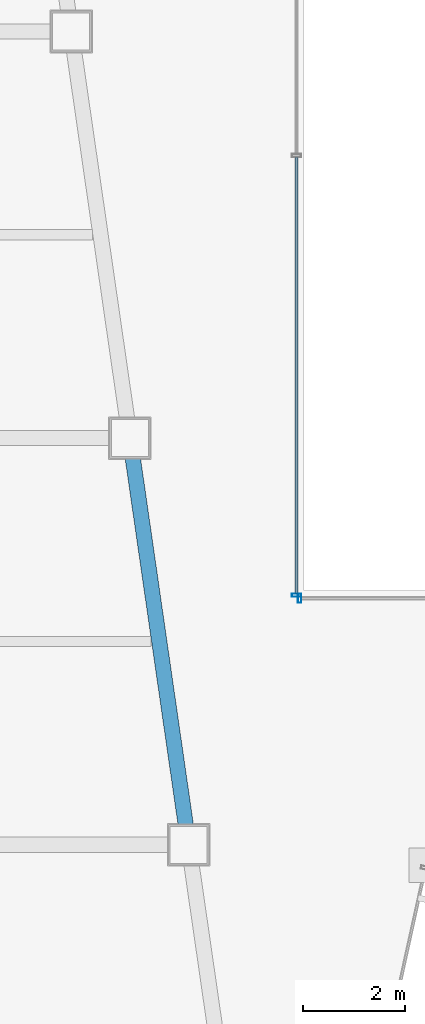
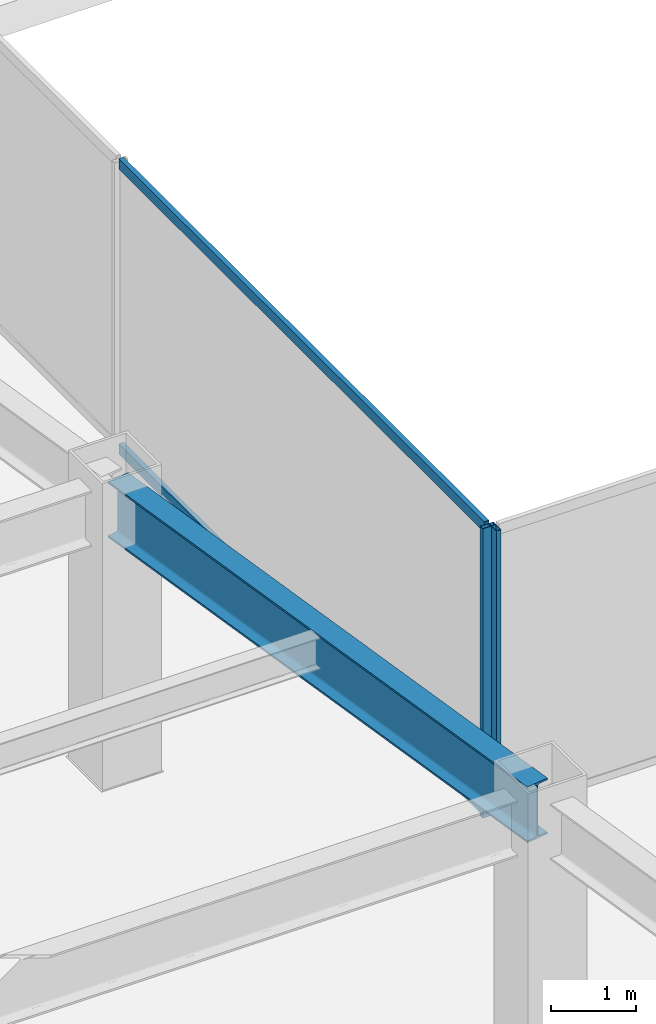
# One storey, part 12 of 49: 4 members, 1 beam, 2 elements without a shape of their own.
"""IFC4 building model written with IfcOpenShell, lengths in metres."""

from ifc_helpers import new_model, si_unit, direction, frame, origin, origin_2d, place, context, subcontext, project, spatial, hollow_rectangle, i_section, extrude, material, material_profile, profile_set, type_object, element, aggregate, save


model = new_model("IFC4")

# Units and contexts
model_context = context("Model", 3, precision=1e-05, world=origin(), true_north=direction((0.0, 1.0)))
body_context = subcontext(model_context, "Body", "Model", "MODEL_VIEW")
ifc_project = project(units=[si_unit("LENGTHUNIT", "METRE"), si_unit("AREAUNIT", "SQUARE_METRE"), si_unit("VOLUMEUNIT", "CUBIC_METRE"), si_unit("PLANEANGLEUNIT", "RADIAN"), si_unit("MASSUNIT", "GRAM", prefix="KILO")], contexts=[model_context])

# Site, building, storey
site_placement = place(None, origin())
site = spatial("IfcSite", under=ifc_project, at=site_placement, CompositionType="ELEMENT")
building_placement = place(site_placement, origin())
building = spatial("IfcBuilding", under=site, at=building_placement, Name="Saevonmaru Cultural Tower", CompositionType="ELEMENT")
storey_placement = place(building_placement, frame((0.0, 0.0, 38.39990234375)))
storey = spatial("IfcBuildingStorey", under=building, at=storey_placement, Name="L07", CompositionType="ELEMENT", Elevation=38.39990234375)

# Beam
ifc_material_1 = material(Name="Steel SM420", Category="steel")
ifc_material_profile_1 = material_profile(ifc_material_1, i_section(OverallWidth=0.300048828125, OverallDepth=0.800048828125, WebThickness=0.013916015625, FlangeThickness=0.02587890625, FilletRadius=0.028076171875, at=origin_2d()), Name="H-800x300x14x26")
ifc_profile_set_1 = profile_set([ifc_material_profile_1], Name="Steel SM420")
beam_type = type_object("IfcBeamType", Name="BM-G-H800", PredefinedType="BEAM", material=ifc_profile_set_1)
beam_placement = place(storey_placement, frame((21.91943359375, 16.059326171875, 3.75), z_axis=(-0.143022161059, 0.989719486241, 0.0), x_axis=(-0.989719486241, -0.143022161059, 0.0)))
element("IfcBeam", 1, at=beam_placement, inside=storey, type_object=beam_type, Name="L07 West Atrium Girder 3", PredefinedType="BEAM", context=body_context, shape_type="SweptSolid", body=[
    extrude(i_section(OverallWidth=0.300048828125, OverallDepth=0.800048828125, WebThickness=0.013916015625, FlangeThickness=0.02587890625, FilletRadius=0.028076171875, at=origin_2d()), origin(), (0.0, 0.0, 1.0), 7.963134765625),
])

# Curtain wall, member
ifc_material_2 = material(Name="Satin Bronze Anodised Aluminium", Category="aluminium")
curtain_wall_type = type_object("IfcCurtainWallType", Name="CW-ATR-GLZ", PredefinedType="NOTDEFINED", material=ifc_material_2)
curtain_wall_1_placement = place(storey_placement, origin())
curtain_wall_1 = element("IfcCurtainWall", 2, at=curtain_wall_1_placement, inside=storey, type_object=curtain_wall_type, Name="L07 Vertical Atrium Glazed Smoke Screen 1", PredefinedType="NOTDEFINED")
ifc_material_profile_2 = material_profile(ifc_material_2, hollow_rectangle(XDim=0.06494140625, YDim=0.179931640625, WallThickness=0.00390625, at=origin_2d()), Name="ALU-MULL-180x65x4")
ifc_profile_set_2 = profile_set([ifc_material_profile_2], Name="Satin Bronze Anodised Aluminium")
member_type_1 = type_object("IfcMemberType", Name="ML-CW-INT-180x65", PredefinedType="MULLION", material=ifc_profile_set_2)
member_1_placement = place(storey_placement, frame((24.110107421875, 20.85009765625, 0.0), z_axis=(0.0, 0.0, 1.0), x_axis=(1.0, 0.0, 0.0)))
member_1 = element("IfcMember", 3, at=member_1_placement, type_object=member_type_1, Name="CW-ATR-L07-1 mullion 1", PredefinedType="MULLION", context=body_context, shape_type="SweptSolid", body=[
    extrude(hollow_rectangle(XDim=0.06494140625, YDim=0.179931640625, WallThickness=0.00390625, at=origin_2d()), origin(), (0.0, 0.0, 1.0), 4.150146484375),
])
aggregate(curtain_wall_1, [member_1])

# Curtain wall, members
curtain_wall_2_placement = place(storey_placement, origin())
curtain_wall_2 = element("IfcCurtainWall", 4, at=curtain_wall_2_placement, inside=storey, type_object=curtain_wall_type, Name="L07 Vertical Atrium Glazed Smoke Screen 4", PredefinedType="NOTDEFINED")
member_2_placement = place(storey_placement, frame((24.050048828125, 20.909912109375, 0.0), z_axis=(0.0, 0.0, 1.0), x_axis=(0.0, -1.0, 0.0)))
member_2 = element("IfcMember", 5, at=member_2_placement, type_object=member_type_1, Name="CW-ATR-L07-4 mullion 3", PredefinedType="MULLION", context=body_context, shape_type="SweptSolid", body=[
    extrude(hollow_rectangle(XDim=0.06494140625, YDim=0.179931640625, WallThickness=0.00390625, at=origin_2d()), origin(), (0.0, 0.0, 1.0), 4.150146484375),
])
ifc_material_profile_3 = material_profile(ifc_material_2, hollow_rectangle(XDim=0.06494140625, YDim=0.14990234375, WallThickness=0.00390625, at=origin_2d()), Name="ALU-TRAN-150x65x4")
ifc_profile_set_3 = profile_set([ifc_material_profile_3], Name="Satin Bronze Anodised Aluminium")
member_type_2 = type_object("IfcMemberType", Name="TR-CW-INT-150x65", PredefinedType="USERDEFINED", material=ifc_profile_set_3)
member_3_placement = place(storey_placement, frame((24.050048828125, 29.527587890625, 0.03271484375), z_axis=(0.0, -1.0, 0.0), x_axis=(1.0, 0.0, 0.0)))
member_3 = element("IfcMember", 6, at=member_3_placement, type_object=member_type_2, Name="CW-ATR-L07-4 transom 2.1", ObjectType="TRANSOM", PredefinedType="USERDEFINED", context=body_context, shape_type="SweptSolid", body=[
    extrude(hollow_rectangle(XDim=0.06494140625, YDim=0.14990234375, WallThickness=0.00390625, at=origin_2d()), origin(), (0.0, 0.0, 1.0), 8.585205078125),
])
member_4_placement = place(storey_placement, frame((24.050048828125, 29.527587890625, 4.11767578125), z_axis=(0.0, -1.0, 0.0), x_axis=(1.0, 0.0, 0.0)))
member_4 = element("IfcMember", 7, at=member_4_placement, type_object=member_type_2, Name="CW-ATR-L07-4 transom 2.2", ObjectType="TRANSOM", PredefinedType="USERDEFINED", context=body_context, shape_type="SweptSolid", body=[
    extrude(hollow_rectangle(XDim=0.06494140625, YDim=0.14990234375, WallThickness=0.00390625, at=origin_2d()), origin(), (0.0, 0.0, 1.0), 8.585205078125),
])
aggregate(curtain_wall_2, [member_2, member_3, member_4])

save(model, "model.ifc")
